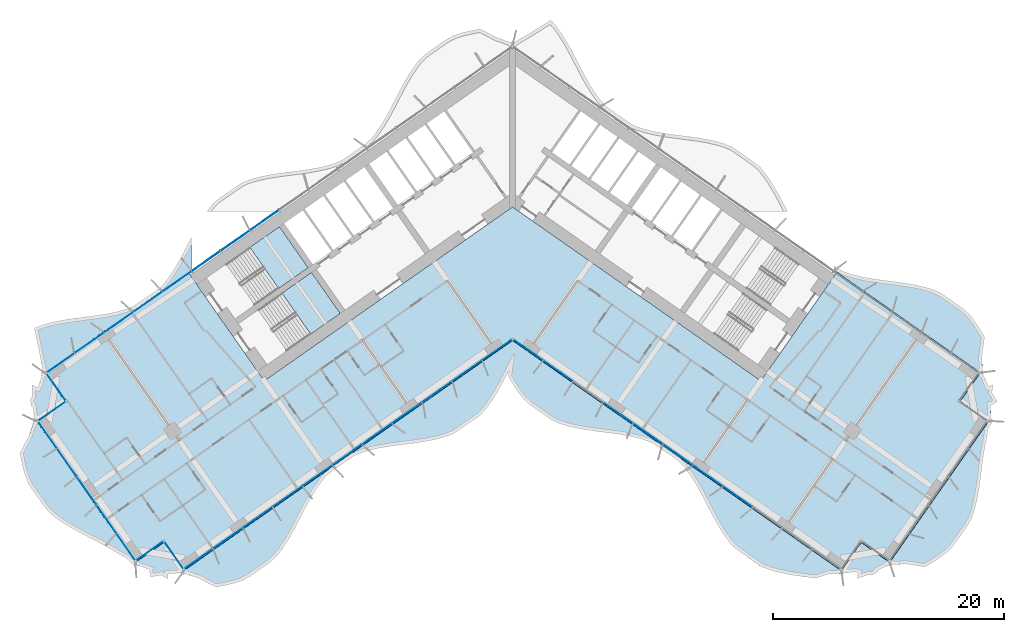
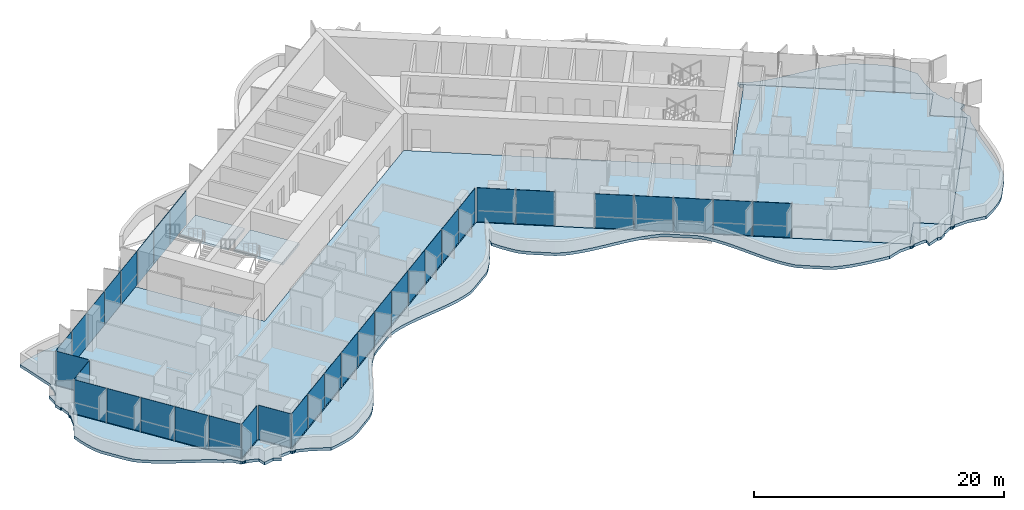
# One storey, part 10 of 23: 35 plates, 4 slabs, 4 elements without a shape of their own.
"""IFC4 building model written with IfcOpenShell, lengths in metres."""

from ifc_helpers import new_model, si_unit, direction, frame, origin, origin_2d, place, context, subcontext, project, spatial, polyline, rectangle, outline, extrude, material, layer, layer_set, type_object, element, aggregate, save


model = new_model("IFC4")

# Units and contexts
model_context = context("Model", 3, precision=1e-05, world=origin(), true_north=direction((0.0, 1.0)))
body_context = subcontext(model_context, "Body", "Model", "MODEL_VIEW")
ifc_project = project(units=[si_unit("LENGTHUNIT", "METRE"), si_unit("AREAUNIT", "SQUARE_METRE"), si_unit("VOLUMEUNIT", "CUBIC_METRE"), si_unit("PLANEANGLEUNIT", "RADIAN"), si_unit("MASSUNIT", "GRAM", prefix="KILO")], contexts=[model_context])

# Site, building, storey
site_placement = place(None, origin())
site = spatial("IfcSite", under=ifc_project, at=site_placement, CompositionType="ELEMENT")
building_placement = place(site_placement, origin())
building = spatial("IfcBuilding", under=site, at=building_placement, Name="Tel Ilan Convention Tower", CompositionType="ELEMENT")
storey_placement = place(building_placement, frame((0.0, 0.0, 101.300048828125)))
storey = spatial("IfcBuildingStorey", under=building, at=storey_placement, Name="L21", CompositionType="ELEMENT", Elevation=101.300048828125)

# Curtain wall, plates
ifc_material_1 = material(Name="Aluminium, bronze anodised", Category="aluminium")
curtain_wall_type_1 = type_object("IfcCurtainWallType", Name="CW1 UNITISED CURTAIN WALL, HOTEL TINTED GLASS", PredefinedType="NOTDEFINED", material=ifc_material_1)
curtain_wall_1_placement = place(storey_placement, origin())
curtain_wall_1 = element("IfcCurtainWall", 1, at=curtain_wall_1_placement, inside=storey, type_object=curtain_wall_type_1, Name="Curtain wall CW1-19.02", PredefinedType="NOTDEFINED")
ifc_material_2 = material(Name="Glass, bronze tinted, two-ply unitised", Category="glass")
ifc_layer_1 = layer(ifc_material_2, 0.028076171875)
ifc_layer_set_1 = layer_set([ifc_layer_1], Name="CW HOTEL GLASS PANEL 28")
plate_type_1 = type_object("IfcPlateType", Name="CW HOTEL GLASS PANEL 28", PredefinedType="CURTAIN_PANEL", material=ifc_layer_set_1)
plate_1_placement = place(storey_placement, frame((-29.1171875, -7.692138671875, 0.0), z_axis=(0.0, 0.0, 1.0), x_axis=(-0.819152044289, -0.573576436351, 0.0)))
plate_1 = element("IfcPlate", 2, at=plate_1_placement, type_object=plate_type_1, Name="Glass panel", PredefinedType="CURTAIN_PANEL", context=body_context, shape_type="SweptSolid", body=[
    extrude(rectangle(XDim=3.037109375, YDim=0.028076171875, at=origin_2d()), origin(), (0.0, 0.0, 1.0), 3.320068359375),
])
plate_2_placement = place(storey_placement, frame((-31.654296875, -9.468505859375, 0.0), z_axis=(0.0, 0.0, 1.0), x_axis=(-0.819152044289, -0.573576436351, 0.0)))
plate_2 = element("IfcPlate", 3, at=plate_2_placement, type_object=plate_type_1, Name="Glass panel", PredefinedType="CURTAIN_PANEL", context=body_context, shape_type="SweptSolid", body=[
    extrude(rectangle(XDim=3.037109375, YDim=0.028076171875, at=origin_2d()), origin(), (0.0, 0.0, 1.0), 3.320068359375),
])
plate_3_placement = place(storey_placement, frame((-34.191162109375, -11.244873046875, 0.0), z_axis=(0.0, 0.0, 1.0), x_axis=(-0.819152044289, -0.573576436351, 0.0)))
plate_3 = element("IfcPlate", 4, at=plate_3_placement, type_object=plate_type_1, Name="Glass panel", PredefinedType="CURTAIN_PANEL", context=body_context, shape_type="SweptSolid", body=[
    extrude(rectangle(XDim=3.037109375, YDim=0.028076171875, at=origin_2d()), origin(), (0.0, 0.0, 1.0), 3.320068359375),
])
plate_4_placement = place(storey_placement, frame((-36.72802734375, -13.021240234375, 0.0), z_axis=(0.0, 0.0, 1.0), x_axis=(-0.819152044289, -0.573576436351, 0.0)))
plate_4 = element("IfcPlate", 5, at=plate_4_placement, type_object=plate_type_1, Name="Glass panel", PredefinedType="CURTAIN_PANEL", context=body_context, shape_type="SweptSolid", body=[
    extrude(rectangle(XDim=3.037109375, YDim=0.028076171875, at=origin_2d()), origin(), (0.0, 0.0, 1.0), 3.320068359375),
])
plate_5_placement = place(storey_placement, frame((-39.2265625, -14.7705078125, 0.0), z_axis=(0.0, 0.0, 1.0), x_axis=(-0.819152044289, -0.573576436351, 0.0)))
plate_5 = element("IfcPlate", 6, at=plate_5_placement, type_object=plate_type_1, Name="Glass panel", PredefinedType="CURTAIN_PANEL", context=body_context, shape_type="SweptSolid", body=[
    extrude(rectangle(XDim=2.943115234375, YDim=0.028076171875, at=origin_2d()), origin(), (0.0, 0.0, 1.0), 3.320068359375),
])
plate_6_placement = place(storey_placement, frame((-39.61328125, -16.82568359375, 0.0), z_axis=(0.0, 0.0, 1.0), x_axis=(0.573576436351, -0.819152044289, 0.0)))
plate_6 = element("IfcPlate", 7, at=plate_6_placement, type_object=plate_type_1, Name="Glass panel", PredefinedType="CURTAIN_PANEL", context=body_context, shape_type="SweptSolid", body=[
    extrude(rectangle(XDim=2.875, YDim=0.028076171875, at=origin_2d()), origin(), (0.0, 0.0, 1.0), 3.320068359375),
])
plate_7_placement = place(storey_placement, frame((-39.990966796875, -18.96826171875, 0.0), z_axis=(0.0, 0.0, 1.0), x_axis=(-0.819152044289, -0.573576436351, 0.0)))
plate_7 = element("IfcPlate", 8, at=plate_7_placement, type_object=plate_type_1, Name="Glass panel", PredefinedType="CURTAIN_PANEL", context=body_context, shape_type="SweptSolid", body=[
    extrude(rectangle(XDim=2.875, YDim=0.028076171875, at=origin_2d()), origin(), (0.0, 0.0, 1.0), 3.320068359375),
])
plate_8_placement = place(storey_placement, frame((-40.358154296875, -20.991943359375, 0.0), z_axis=(0.0, 0.0, 1.0), x_axis=(0.573576436351, -0.819152044289, 0.0)))
plate_8 = element("IfcPlate", 9, at=plate_8_placement, type_object=plate_type_1, Name="Glass panel", PredefinedType="CURTAIN_PANEL", context=body_context, shape_type="SweptSolid", body=[
    extrude(rectangle(XDim=2.845947265625, YDim=0.028076171875, at=origin_2d()), origin(), (0.0, 0.0, 1.0), 3.320068359375),
])
plate_9_placement = place(storey_placement, frame((-38.66455078125, -23.410888671875, 0.0), z_axis=(0.0, 0.0, 1.0), x_axis=(0.573576436351, -0.819152044289, 0.0)))
plate_9 = element("IfcPlate", 10, at=plate_9_placement, type_object=plate_type_1, Name="Glass panel", PredefinedType="CURTAIN_PANEL", context=body_context, shape_type="SweptSolid", body=[
    extrude(rectangle(XDim=2.93994140625, YDim=0.028076171875, at=origin_2d()), origin(), (0.0, 0.0, 1.0), 3.320068359375),
])
plate_10_placement = place(storey_placement, frame((-36.94384765625, -25.868408203125, 0.0), z_axis=(0.0, 0.0, 1.0), x_axis=(0.573576436351, -0.819152044289, 0.0)))
plate_10 = element("IfcPlate", 11, at=plate_10_placement, type_object=plate_type_1, Name="Glass panel", PredefinedType="CURTAIN_PANEL", context=body_context, shape_type="SweptSolid", body=[
    extrude(rectangle(XDim=2.93994140625, YDim=0.028076171875, at=origin_2d()), origin(), (0.0, 0.0, 1.0), 3.320068359375),
])
plate_11_placement = place(storey_placement, frame((-35.22314453125, -28.32568359375, 0.0), z_axis=(0.0, 0.0, 1.0), x_axis=(0.573576436351, -0.819152044289, 0.0)))
plate_11 = element("IfcPlate", 12, at=plate_11_placement, type_object=plate_type_1, Name="Glass panel", PredefinedType="CURTAIN_PANEL", context=body_context, shape_type="SweptSolid", body=[
    extrude(rectangle(XDim=2.93994140625, YDim=0.028076171875, at=origin_2d()), origin(), (0.0, 0.0, 1.0), 3.320068359375),
])
plate_12_placement = place(storey_placement, frame((-33.529296875, -30.74462890625, 0.0), z_axis=(0.0, 0.0, 1.0), x_axis=(0.573576436351, -0.819152044289, 0.0)))
plate_12 = element("IfcPlate", 13, at=plate_12_placement, type_object=plate_type_1, Name="Glass panel", PredefinedType="CURTAIN_PANEL", context=body_context, shape_type="SweptSolid", body=[
    extrude(rectangle(XDim=2.845947265625, YDim=0.028076171875, at=origin_2d()), origin(), (0.0, 0.0, 1.0), 3.320068359375),
])
plate_13_placement = place(storey_placement, frame((-31.502197265625, -31.091796875, 0.0), z_axis=(0.0, 0.0, 1.0), x_axis=(0.819152044289, 0.573576436351, 0.0)))
plate_13 = element("IfcPlate", 14, at=plate_13_placement, type_object=plate_type_1, Name="Glass panel", PredefinedType="CURTAIN_PANEL", context=body_context, shape_type="SweptSolid", body=[
    extrude(rectangle(XDim=2.875, YDim=0.028076171875, at=origin_2d()), origin(), (0.0, 0.0, 1.0), 3.320068359375),
])
plate_14_placement = place(storey_placement, frame((-29.359375, -31.469482421875, 0.0), z_axis=(0.0, 0.0, 1.0), x_axis=(0.573576436351, -0.819152044289, 0.0)))
plate_14 = element("IfcPlate", 15, at=plate_14_placement, type_object=plate_type_1, Name="Glass panel", PredefinedType="CURTAIN_PANEL", context=body_context, shape_type="SweptSolid", body=[
    extrude(rectangle(XDim=2.875, YDim=0.028076171875, at=origin_2d()), origin(), (0.0, 0.0, 1.0), 3.320068359375),
])
plate_15_placement = place(storey_placement, frame((-27.26708984375, -31.78857421875, 0.0), z_axis=(0.0, 0.0, 1.0), x_axis=(0.819152044289, 0.573576436351, 0.0)))
plate_15 = element("IfcPlate", 16, at=plate_15_placement, type_object=plate_type_1, Name="Glass panel", PredefinedType="CURTAIN_PANEL", context=body_context, shape_type="SweptSolid", body=[
    extrude(rectangle(XDim=3.013916015625, YDim=0.028076171875, at=origin_2d()), origin(), (0.0, 0.0, 1.0), 3.320068359375),
])
plate_16_placement = place(storey_placement, frame((-24.71044921875, -29.99853515625, 0.0), z_axis=(0.0, 0.0, 1.0), x_axis=(0.819152044289, 0.573576436351, 0.0)))
plate_16 = element("IfcPlate", 17, at=plate_16_placement, type_object=plate_type_1, Name="Glass panel", PredefinedType="CURTAIN_PANEL", context=body_context, shape_type="SweptSolid", body=[
    extrude(rectangle(XDim=3.10791015625, YDim=0.028076171875, at=origin_2d()), origin(), (0.0, 0.0, 1.0), 3.320068359375),
])
plate_17_placement = place(storey_placement, frame((-22.115478515625, -28.181396484375, 0.0), z_axis=(0.0, 0.0, 1.0), x_axis=(0.819152044289, 0.573576436351, 0.0)))
plate_17 = element("IfcPlate", 18, at=plate_17_placement, type_object=plate_type_1, Name="Glass panel", PredefinedType="CURTAIN_PANEL", context=body_context, shape_type="SweptSolid", body=[
    extrude(rectangle(XDim=3.10791015625, YDim=0.028076171875, at=origin_2d()), origin(), (0.0, 0.0, 1.0), 3.320068359375),
])
plate_18_placement = place(storey_placement, frame((-19.520263671875, -26.3642578125, 0.0), z_axis=(0.0, 0.0, 1.0), x_axis=(0.819152044289, 0.573576436351, 0.0)))
plate_18 = element("IfcPlate", 19, at=plate_18_placement, type_object=plate_type_1, Name="Glass panel", PredefinedType="CURTAIN_PANEL", context=body_context, shape_type="SweptSolid", body=[
    extrude(rectangle(XDim=3.10791015625, YDim=0.028076171875, at=origin_2d()), origin(), (0.0, 0.0, 1.0), 3.320068359375),
])
plate_19_placement = place(storey_placement, frame((-16.92529296875, -24.54736328125, 0.0), z_axis=(0.0, 0.0, 1.0), x_axis=(0.819152044289, 0.573576436351, 0.0)))
plate_19 = element("IfcPlate", 20, at=plate_19_placement, type_object=plate_type_1, Name="Glass panel", PredefinedType="CURTAIN_PANEL", context=body_context, shape_type="SweptSolid", body=[
    extrude(rectangle(XDim=3.10791015625, YDim=0.028076171875, at=origin_2d()), origin(), (0.0, 0.0, 1.0), 3.320068359375),
])
plate_20_placement = place(storey_placement, frame((-14.330078125, -22.730224609375, 0.0), z_axis=(0.0, 0.0, 1.0), x_axis=(0.819152044289, 0.573576436351, 0.0)))
plate_20 = element("IfcPlate", 21, at=plate_20_placement, type_object=plate_type_1, Name="Glass panel", PredefinedType="CURTAIN_PANEL", context=body_context, shape_type="SweptSolid", body=[
    extrude(rectangle(XDim=3.10791015625, YDim=0.028076171875, at=origin_2d()), origin(), (0.0, 0.0, 1.0), 3.320068359375),
])
plate_21_placement = place(storey_placement, frame((-11.735107421875, -20.9130859375, 0.0), z_axis=(0.0, 0.0, 1.0), x_axis=(0.819152044289, 0.573576436351, 0.0)))
plate_21 = element("IfcPlate", 22, at=plate_21_placement, type_object=plate_type_1, Name="Glass panel", PredefinedType="CURTAIN_PANEL", context=body_context, shape_type="SweptSolid", body=[
    extrude(rectangle(XDim=3.10791015625, YDim=0.028076171875, at=origin_2d()), origin(), (0.0, 0.0, 1.0), 3.320068359375),
])
plate_22_placement = place(storey_placement, frame((-9.14013671875, -19.095947265625, 0.0), z_axis=(0.0, 0.0, 1.0), x_axis=(0.819152044289, 0.573576436351, 0.0)))
plate_22 = element("IfcPlate", 23, at=plate_22_placement, type_object=plate_type_1, Name="Glass panel", PredefinedType="CURTAIN_PANEL", context=body_context, shape_type="SweptSolid", body=[
    extrude(rectangle(XDim=3.10791015625, YDim=0.028076171875, at=origin_2d()), origin(), (0.0, 0.0, 1.0), 3.320068359375),
])
plate_23_placement = place(storey_placement, frame((-6.544921875, -17.27880859375, 0.0), z_axis=(0.0, 0.0, 1.0), x_axis=(0.819152044289, 0.573576436351, 0.0)))
plate_23 = element("IfcPlate", 24, at=plate_23_placement, type_object=plate_type_1, Name="Glass panel", PredefinedType="CURTAIN_PANEL", context=body_context, shape_type="SweptSolid", body=[
    extrude(rectangle(XDim=3.10791015625, YDim=0.028076171875, at=origin_2d()), origin(), (0.0, 0.0, 1.0), 3.320068359375),
])
plate_24_placement = place(storey_placement, frame((-3.949951171875, -15.4619140625, 0.0), z_axis=(0.0, 0.0, 1.0), x_axis=(0.819152044289, 0.573576436351, 0.0)))
plate_24 = element("IfcPlate", 25, at=plate_24_placement, type_object=plate_type_1, Name="Glass panel", PredefinedType="CURTAIN_PANEL", context=body_context, shape_type="SweptSolid", body=[
    extrude(rectangle(XDim=3.10791015625, YDim=0.028076171875, at=origin_2d()), origin(), (0.0, 0.0, 1.0), 3.320068359375),
])
plate_25_placement = place(storey_placement, frame((-1.355224609375, -13.64501953125, 0.0), z_axis=(0.0, 0.0, 1.0), x_axis=(0.819152044289, 0.573576436351, 0.0)))
plate_25 = element("IfcPlate", 26, at=plate_25_placement, type_object=plate_type_1, Name="Glass panel", PredefinedType="CURTAIN_PANEL", context=body_context, shape_type="SweptSolid", body=[
    extrude(rectangle(XDim=3.10693359375, YDim=0.028076171875, at=origin_2d()), origin(), (0.0, 0.0, 1.0), 3.320068359375),
])
plate_26_placement = place(storey_placement, frame((1.366943359375, -13.653076171875, 0.0), z_axis=(0.0, 0.0, 1.0), x_axis=(0.819152044289, -0.573576436351, 0.0)))
plate_26 = element("IfcPlate", 27, at=plate_26_placement, type_object=plate_type_1, Name="Glass panel", PredefinedType="CURTAIN_PANEL", context=body_context, shape_type="SweptSolid", body=[
    extrude(rectangle(XDim=3.078857421875, YDim=0.028076171875, at=origin_2d()), origin(), (0.0, 0.0, 1.0), 3.320068359375),
])
plate_27_placement = place(storey_placement, frame((3.949951171875, -15.4619140625, 0.0), z_axis=(0.0, 0.0, 1.0), x_axis=(0.819152044289, -0.573576436351, 0.0)))
plate_27 = element("IfcPlate", 28, at=plate_27_placement, type_object=plate_type_1, Name="Glass panel", PredefinedType="CURTAIN_PANEL", context=body_context, shape_type="SweptSolid", body=[
    extrude(rectangle(XDim=3.10791015625, YDim=0.028076171875, at=origin_2d()), origin(), (0.0, 0.0, 1.0), 3.320068359375),
])
plate_28_placement = place(storey_placement, frame((9.14013671875, -19.095947265625, 0.0), z_axis=(0.0, 0.0, 1.0), x_axis=(0.819152044289, -0.573576436351, 0.0)))
plate_28 = element("IfcPlate", 29, at=plate_28_placement, type_object=plate_type_1, Name="Glass panel", PredefinedType="CURTAIN_PANEL", context=body_context, shape_type="SweptSolid", body=[
    extrude(rectangle(XDim=3.10791015625, YDim=0.028076171875, at=origin_2d()), origin(), (0.0, 0.0, 1.0), 3.320068359375),
])
plate_29_placement = place(storey_placement, frame((11.735107421875, -20.9130859375, 0.0), z_axis=(0.0, 0.0, 1.0), x_axis=(0.819152044289, -0.573576436351, 0.0)))
plate_29 = element("IfcPlate", 30, at=plate_29_placement, type_object=plate_type_1, Name="Glass panel", PredefinedType="CURTAIN_PANEL", context=body_context, shape_type="SweptSolid", body=[
    extrude(rectangle(XDim=3.10791015625, YDim=0.028076171875, at=origin_2d()), origin(), (0.0, 0.0, 1.0), 3.320068359375),
])
plate_30_placement = place(storey_placement, frame((14.330078125, -22.730224609375, 0.0), z_axis=(0.0, 0.0, 1.0), x_axis=(0.819152044289, -0.573576436351, 0.0)))
plate_30 = element("IfcPlate", 31, at=plate_30_placement, type_object=plate_type_1, Name="Glass panel", PredefinedType="CURTAIN_PANEL", context=body_context, shape_type="SweptSolid", body=[
    extrude(rectangle(XDim=3.10791015625, YDim=0.028076171875, at=origin_2d()), origin(), (0.0, 0.0, 1.0), 3.320068359375),
])
plate_31_placement = place(storey_placement, frame((16.92529296875, -24.54736328125, 0.0), z_axis=(0.0, 0.0, 1.0), x_axis=(0.819152044289, -0.573576436351, 0.0)))
plate_31 = element("IfcPlate", 32, at=plate_31_placement, type_object=plate_type_1, Name="Glass panel", PredefinedType="CURTAIN_PANEL", context=body_context, shape_type="SweptSolid", body=[
    extrude(rectangle(XDim=3.10791015625, YDim=0.028076171875, at=origin_2d()), origin(), (0.0, 0.0, 1.0), 3.320068359375),
])
plate_32_placement = place(storey_placement, frame((19.520263671875, -26.3642578125, 0.0), z_axis=(0.0, 0.0, 1.0), x_axis=(0.819152044289, -0.573576436351, 0.0)))
plate_32 = element("IfcPlate", 33, at=plate_32_placement, type_object=plate_type_1, Name="Glass panel", PredefinedType="CURTAIN_PANEL", context=body_context, shape_type="SweptSolid", body=[
    extrude(rectangle(XDim=3.10791015625, YDim=0.028076171875, at=origin_2d()), origin(), (0.0, 0.0, 1.0), 3.320068359375),
])
aggregate(curtain_wall_1, [plate_1, plate_2, plate_3, plate_4, plate_5, plate_6, plate_7, plate_8, plate_9, plate_10, plate_11, plate_12, plate_13, plate_14, plate_15, plate_16, plate_17, plate_18, plate_19, plate_20, plate_21, plate_22, plate_23, plate_24, plate_25, plate_26, plate_27, plate_28, plate_29, plate_30, plate_31, plate_32])

ifc_material_3 = material(Name="Aluminium, bronze anodised", Category="aluminium")
curtain_wall_type_2 = type_object("IfcCurtainWallType", Name="CW2 STICK CURTAIN WALL, SPANDREL PANELS", PredefinedType="NOTDEFINED", material=ifc_material_3)
curtain_wall_2_placement = place(storey_placement, origin())
curtain_wall_2 = element("IfcCurtainWall", 34, at=curtain_wall_2_placement, inside=storey, type_object=curtain_wall_type_2, Name="Curtain wall CW2-19.01", PredefinedType="NOTDEFINED")
ifc_material_4 = material(Name="Aluminium composite panel, bronze anodised", Category="aluminium")
ifc_layer_2 = layer(ifc_material_4, 0.06005859375)
ifc_layer_set_2 = layer_set([ifc_layer_2], Name="CW SPANDREL PANEL 60")
plate_type_2 = type_object("IfcPlateType", Name="CW SPANDREL PANEL 60", PredefinedType="CURTAIN_PANEL", material=ifc_layer_set_2)
plate_33_placement = place(storey_placement, frame((-21.506591796875, -2.363037109375, 0.0), z_axis=(0.0, 0.0, 1.0), x_axis=(-0.819152044289, -0.573576436351, 0.0)))
plate_33 = element("IfcPlate", 35, at=plate_33_placement, type_object=plate_type_2, Name="Spandrel panel", PredefinedType="CURTAIN_PANEL", context=body_context, shape_type="SweptSolid", body=[
    extrude(rectangle(XDim=3.037109375, YDim=0.06005859375, at=origin_2d()), origin(), (0.0, 0.0, 1.0), 3.320068359375),
])
plate_34_placement = place(storey_placement, frame((-24.04345703125, -4.139404296875, 0.0), z_axis=(0.0, 0.0, 1.0), x_axis=(-0.819152044289, -0.573576436351, 0.0)))
plate_34 = element("IfcPlate", 36, at=plate_34_placement, type_object=plate_type_2, Name="Spandrel panel", PredefinedType="CURTAIN_PANEL", context=body_context, shape_type="SweptSolid", body=[
    extrude(rectangle(XDim=3.037109375, YDim=0.06005859375, at=origin_2d()), origin(), (0.0, 0.0, 1.0), 3.320068359375),
])
plate_35_placement = place(storey_placement, frame((-26.580322265625, -5.915771484375, 0.0), z_axis=(0.0, 0.0, 1.0), x_axis=(-0.819152044289, -0.573576436351, 0.0)))
plate_35 = element("IfcPlate", 37, at=plate_35_placement, type_object=plate_type_2, Name="Spandrel panel", PredefinedType="CURTAIN_PANEL", context=body_context, shape_type="SweptSolid", body=[
    extrude(rectangle(XDim=3.037109375, YDim=0.06005859375, at=origin_2d()), origin(), (0.0, 0.0, 1.0), 3.320068359375),
])
aggregate(curtain_wall_2, [plate_33, plate_34, plate_35])

# Stair, slab
ifc_material_5 = material(Name="Concrete C40/50", Category="concrete")
stair_type = type_object("IfcStairType", Name="Pressurised Exit Stair 20 risers 180 mm", PredefinedType="HALF_TURN_STAIR", material=ifc_material_5)
stair_1_placement = place(storey_placement, origin())
stair_1 = element("IfcStair", 38, at=stair_1_placement, inside=storey, type_object=stair_type, Name="L21 Pressurised Stair S1", PredefinedType="HALF_TURN_STAIR")
ifc_material_6 = material(Name="Concrete C40/50", Category="concrete")
ifc_layer_3 = layer(ifc_material_6, 0.199951171875)
ifc_layer_set_3 = layer_set([ifc_layer_3], Name="Concrete Stair Landing 200 mm C40/50")
slab_type_1 = type_object("IfcSlabType", Name="Concrete Stair Landing 200 mm", PredefinedType="LANDING", material=ifc_layer_set_3)
slab_1_placement = place(storey_placement, frame((0.0, 0.0, 1.599853515625)))
slab_1 = element("IfcSlab", 39, at=slab_1_placement, type_object=slab_type_1, Name="S1 landing 1", PredefinedType="LANDING", context=body_context, shape_type="SweptSolid", body=[
    extrude(outline(polyline([(-20.2958984375, -8.29052734375), (-17.7314453125, -6.494873046875), (-20.226318359375, -2.931640625), (-22.791015625, -4.727294921875), (-20.2958984375, -8.29052734375)])), origin(), (0.0, 0.0, 1.0), 0.2001953125),
])
aggregate(stair_1, [slab_1])

stair_2_placement = place(storey_placement, origin())
stair_2 = element("IfcStair", 40, at=stair_2_placement, inside=storey, type_object=stair_type, Name="L21 Pressurised Stair S2", PredefinedType="HALF_TURN_STAIR")
slab_2_placement = place(storey_placement, frame((0.0, 0.0, 1.599853515625)))
slab_2 = element("IfcSlab", 41, at=slab_2_placement, type_object=slab_type_1, Name="S2 landing 1", PredefinedType="LANDING", context=body_context, shape_type="SweptSolid", body=[
    extrude(outline(polyline([(-17.51416015625, -12.263427734375), (-14.949462890625, -10.4677734375), (-17.444580078125, -6.904541015625), (-20.00927734375, -8.7001953125), (-17.51416015625, -12.263427734375)])), origin(), (0.0, 0.0, 1.0), 0.2001953125),
])
aggregate(stair_2, [slab_2])

# Slabs
ifc_material_7 = material(Name="Concrete C40/50", Category="concrete")
ifc_layer_4 = layer(ifc_material_7, 0.280029296875)
ifc_layer_set_4 = layer_set([ifc_layer_4], Name="Edge Ledge Slab 280 mm C40/50")
slab_type_2 = type_object("IfcSlabType", Name="Edge Ledge Slab 280 mm C40/50", PredefinedType="FLOOR", material=ifc_layer_set_4)
slab_3_placement = place(storey_placement, frame((0.0, 0.0, -0.280029296875)))
element("IfcSlab", 42, at=slab_3_placement, inside=storey, type_object=slab_type_2, Name="L21 edge ledge 1", PredefinedType="FLOOR", context=body_context, shape_type="SweptSolid", body=[
    extrude(outline(polyline([(-41.327392578125, -19.781982421875), (-32.723876953125, -32.0693359375), (-30.266357421875, -30.3486328125), (-30.09423828125, -30.59423828125), (-28.714599609375, -32.56494140625), (-28.545654296875, -32.805908203125), (0.0, -12.818115234375), (28.545654296875, -32.805908203125), (28.712890625, -32.567138671875), (30.09423828125, -30.59423828125), (30.266357421875, -30.3486328125), (32.723876953125, -32.0693359375), (41.327392578125, -19.781982421875), (41.08837890625, -19.61474609375), (40.098876953125, -18.921630859375), (38.8701171875, -18.061279296875), (40.5908203125, -15.603759765625), (27.875, -6.7001953125), (27.875, -6.333740234375), (28.040283203125, -6.44970703125), (28.68408203125, -6.820068359375), (29.414794921875, -7.0654296875), (30.181884765625, -7.259521484375), (30.97802734375, -7.412109375), (31.79443359375, -7.535400390625), (32.6220703125, -7.64306640625), (33.450927734375, -7.748779296875), (34.27099609375, -7.86669921875), (35.072998046875, -8.0107421875), (35.84814453125, -8.193115234375), (36.5888671875, -8.4248046875), (37.260498046875, -8.755126953125), (39.077880859375, -10.027587890625), (39.63232421875, -10.525390625), (40.108154296875, -11.13525390625), (40.548583984375, -11.795654296875), (40.96044921875, -12.496826171875), (40.743408203125, -14.096435546875), (40.7626953125, -15.358154296875), (40.759521484375, -15.36279296875), (40.802978515625, -15.3916015625), (40.867919921875, -15.489013671875), (40.890869140625, -15.603759765625), (40.867919921875, -15.718505859375), (40.831787109375, -15.772705078125), (40.83642578125, -15.77587890625), (41.29638671875, -16.79443359375), (41.686767578125, -16.65380859375), (41.602294921875, -17.322509765625), (42.063720703125, -18.10009765625), (41.508056640625, -18.443603515625), (41.487548828125, -18.439453125), (41.49951171875, -19.536376953125), (41.496337890625, -19.541015625), (41.53955078125, -19.56982421875), (41.604736328125, -19.667236328125), (41.62744140625, -19.781982421875), (41.604736328125, -19.896728515625), (41.568603515625, -19.95068359375), (41.5732421875, -19.9541015625), (41.24267578125, -20.594482421875), (41.12841796875, -21.386474609375), (40.97021484375, -22.147705078125), (40.841064453125, -22.929443359375), (40.732421875, -23.72509765625), (40.631103515625, -24.5263671875), (40.52490234375, -25.323974609375), (40.40087890625, -26.10888671875), (40.247314453125, -26.87353515625), (40.0537109375, -27.60986328125), (39.810791015625, -28.311767578125), (39.44189453125, -28.925537109375), (38.212890625, -30.680908203125), (37.701904296875, -31.195068359375), (37.104736328125, -31.64892578125), (36.4619140625, -32.07080078125), (35.769775390625, -32.4580078125), (34.16845703125, -32.208740234375), (32.969482421875, -32.241455078125), (32.96484375, -32.238037109375), (32.93603515625, -32.281494140625), (32.838623046875, -32.346435546875), (32.723876953125, -32.369384765625), (32.60888671875, -32.346435546875), (32.554931640625, -32.310302734375), (32.5517578125, -32.31494140625), (31.685546875, -32.75439453125), (31.7392578125, -32.8447265625), (31.18359375, -33.188232421875), (30.877685546875, -33.126708984375), (29.9072265625, -33.476806640625), (29.97412109375, -32.9453125), (29.716796875, -32.8935546875), (28.79150390625, -32.97802734375), (28.78662109375, -32.974853515625), (28.7578125, -33.018310546875), (28.660400390625, -33.083251953125), (28.545654296875, -33.10595703125), (28.430908203125, -33.083251953125), (28.376953125, -33.047119140625), (28.37353515625, -33.0517578125), (27.44921875, -33.079345703125), (26.29443359375, -33.435546875), (25.462646484375, -33.3310546875), (24.635986328125, -33.218994140625), (23.824462890625, -33.08544921875), (23.03662109375, -32.91748046875), (22.281005859375, -32.7041015625), (21.564697265625, -32.434814453125), (19.742431640625, -31.158935546875), (19.1513671875, -30.71044921875), (18.660888671875, -30.1181640625), (18.2080078125, -29.47216796875), (17.785888671875, -28.782470703125), (17.38623046875, -28.060546875), (16.999755859375, -27.31982421875), (16.61669921875, -26.574462890625), (16.2265625, -25.838623046875), (15.8203125, -25.12646484375), (15.388427734375, -24.450439453125), (14.92333984375, -23.822021484375), (14.404296875, -23.2705078125), (12.58251953125, -21.99462890625), (11.9423828125, -21.61572265625), (11.211669921875, -21.366943359375), (10.444091796875, -21.17041015625), (9.647216796875, -21.015625), (8.829345703125, -20.89111328125), (8.0, -20.782958984375), (7.1689453125, -20.677001953125), (6.34619140625, -20.559326171875), (5.54150390625, -20.416015625), (4.763427734375, -20.234375), (4.02001953125, -20.003662109375), (3.343994140625, -19.676513671875), (1.52197265625, -18.400634765625), (0.964599609375, -17.90380859375), (0.4873046875, -17.293212890625), (0.04541015625, -16.631591796875), (-0.367919921875, -15.928955078125), (-0.29345703125, -15.373291015625), (-0.56103515625, -15.89501953125), (-0.94921875, -16.63330078125), (-1.352294921875, -17.350341796875), (-1.779296875, -18.032958984375), (-2.23828125, -18.669921875), (-2.736572265625, -19.251220703125), (-4.55859375, -20.527099609375), (-5.18212890625, -20.92919921875), (-5.906494140625, -21.1875), (-6.66845703125, -21.39208984375), (-7.4609375, -21.552734375), (-8.27587890625, -21.681396484375), (-9.104248046875, -21.791259765625), (-9.935791015625, -21.896484375), (-10.760498046875, -22.01123046875), (-11.56884765625, -22.1494140625), (-12.351806640625, -22.32421875), (-13.101318359375, -22.546142578125), (-13.797119140625, -22.84521484375), (-15.619140625, -24.12109375), (-16.194091796875, -24.5927734375), (-16.677734375, -25.1943359375), (-17.125, -25.848388671875), (-17.54296875, -26.544189453125), (-17.939697265625, -27.270263671875), (-18.3251953125, -28.0126953125), (-18.708740234375, -28.75732421875), (-19.1005859375, -29.490234375), (-19.510498046875, -30.197509765625), (-19.947509765625, -30.8662109375), (-20.41845703125, -31.486083984375), (-20.957275390625, -32.009521484375), (-22.779296875, -33.28515625), (-23.436767578125, -33.638916015625), (-24.174072265625, -33.87890625), (-24.94677734375, -34.067626953125), (-25.748291015625, -34.2158203125), (-27.177490234375, -33.46728515625), (-28.37353515625, -33.0517578125), (-28.376953125, -33.047119140625), (-28.430908203125, -33.083251953125), (-28.545654296875, -33.10595703125), (-28.660400390625, -33.083251953125), (-28.7578125, -33.018310546875), (-28.78662109375, -32.974853515625), (-28.79150390625, -32.97802734375), (-29.906005859375, -33.06201171875), (-29.9072265625, -33.476806640625), (-30.5068359375, -33.168701171875), (-31.39501953125, -33.336181640625), (-31.52783203125, -32.69677734375), (-31.51708984375, -32.678955078125), (-32.5517578125, -32.31494140625), (-32.554931640625, -32.310302734375), (-32.60888671875, -32.346435546875), (-32.723876953125, -32.369384765625), (-32.838623046875, -32.346435546875), (-32.93603515625, -32.281494140625), (-32.96484375, -32.238037109375), (-32.969482421875, -32.241455078125), (-33.458251953125, -31.711669921875), (-34.16357421875, -31.33349609375), (-34.82470703125, -30.92431640625), (-35.514892578125, -30.535888671875), (-36.2255859375, -30.161376953125), (-36.94384765625, -29.792236328125), (-37.656982421875, -29.419677734375), (-38.352294921875, -29.03466796875), (-39.018310546875, -28.62890625), (-39.643798828125, -28.195068359375), (-40.220458984375, -27.726806640625), (-40.671142578125, -27.170166015625), (-41.900146484375, -25.414794921875), (-42.20849609375, -24.7587890625), (-42.430908203125, -24.04248046875), (-42.607421875, -23.294189453125), (-42.734619140625, -22.51123046875), (-41.95263671875, -21.091796875), (-41.5732421875, -19.9541015625), (-41.568603515625, -19.95068359375), (-41.604736328125, -19.896728515625), (-41.62744140625, -19.781982421875), (-41.604736328125, -19.667236328125), (-41.53955078125, -19.56982421875), (-41.496337890625, -19.541015625), (-41.49951171875, -19.536376953125), (-41.6162109375, -18.572021484375), (-41.719482421875, -18.591552734375), (-41.852294921875, -17.9521484375), (-41.68994140625, -17.685546875), (-41.686767578125, -16.65380859375), (-41.210205078125, -16.898681640625), (-41.073486328125, -16.67431640625), (-40.83642578125, -15.77587890625), (-40.831787109375, -15.772705078125), (-40.867919921875, -15.718505859375), (-40.890869140625, -15.603759765625), (-40.867919921875, -15.489013671875), (-40.802978515625, -15.3916015625), (-40.759521484375, -15.36279296875), (-40.7626953125, -15.358154296875), (-41.11181640625, -13.5703125), (-41.499267578125, -11.727294921875), (-40.784912109375, -11.45849609375), (-40.03076171875, -11.24609375), (-39.244873046875, -11.078857421875), (-38.43505859375, -10.94580078125), (-37.610595703125, -10.833984375), (-36.781005859375, -10.729248046875), (-35.956298828125, -10.61767578125), (-35.146240234375, -10.485107421875), (-34.360107421875, -10.318603515625), (-33.60546875, -10.106689453125), (-32.88916015625, -9.84033203125), (-32.28125, -9.419189453125), (-31.069580078125, -8.57080078125), (-30.476318359375, -8.128662109375), (-29.9853515625, -7.540283203125), (-29.5322265625, -6.89794921875), (-29.10986328125, -6.211669921875), (-28.71044921875, -5.492919921875), (-28.324462890625, -4.754638671875), (-27.9423828125, -4.010986328125), (-27.875, -3.88330078125), (-27.875, -6.7001953125), (-40.5908203125, -15.603759765625), (-38.8701171875, -18.061279296875), (-40.098876953125, -18.921630859375), (-41.08642578125, -19.61328125), (-41.327392578125, -19.781982421875)])), origin(), (0.0, 0.0, 1.0), 0.280029296875),
])
ifc_material_8 = material(Name="Concrete C40/50", Category="concrete")
ifc_layer_5 = layer(ifc_material_8, 0.280029296875)
ifc_layer_set_5 = layer_set([ifc_layer_5], Name="Flat Plate Floor Slab 280 mm C40/50")
slab_type_3 = type_object("IfcSlabType", Name="Flat Plate Floor Slab 280 mm C40/50", PredefinedType="FLOOR", material=ifc_layer_set_5)
slab_4_placement = place(storey_placement, frame((0.0, 0.0, -0.280029296875)))
element("IfcSlab", 43, at=slab_4_placement, inside=storey, type_object=slab_type_3, Name="L21 floor slab", PredefinedType="FLOOR", context=body_context, shape_type="SweptSolid", body=[
    extrude(outline(polyline([(41.08642578125, -19.61328125), (41.327392578125, -19.781982421875), (32.723876953125, -32.0693359375), (30.266357421875, -30.3486328125), (30.09423828125, -30.59423828125), (28.714599609375, -32.56494140625), (28.545654296875, -32.805908203125), (0.0, -12.818115234375), (-28.545654296875, -32.805908203125), (-28.714599609375, -32.56494140625), (-30.09423828125, -30.59423828125), (-30.266357421875, -30.3486328125), (-32.723876953125, -32.0693359375), (-41.327392578125, -19.781982421875), (-41.08642578125, -19.61328125), (-40.098876953125, -18.921630859375), (-38.8701171875, -18.061279296875), (-40.5908203125, -15.603759765625), (-28.1396484375, -6.885498046875), (-21.54345703125, -16.3056640625), (0.0, -1.220703125), (21.54345703125, -16.3056640625), (28.1396484375, -6.885498046875), (40.5908203125, -15.603759765625), (38.8701171875, -18.061279296875), (40.098876953125, -18.921630859375), (41.08642578125, -19.61328125)])), origin(), (0.0, 0.0, 1.0), 0.280029296875),
])

save(model, "model.ifc")
